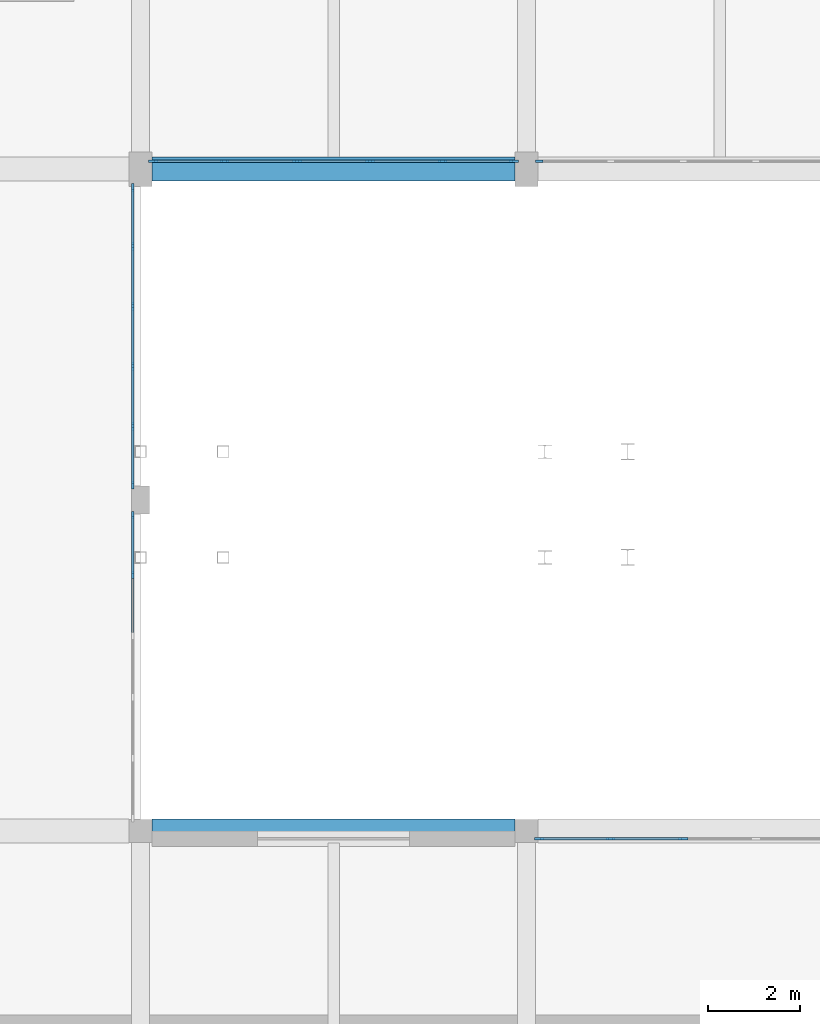
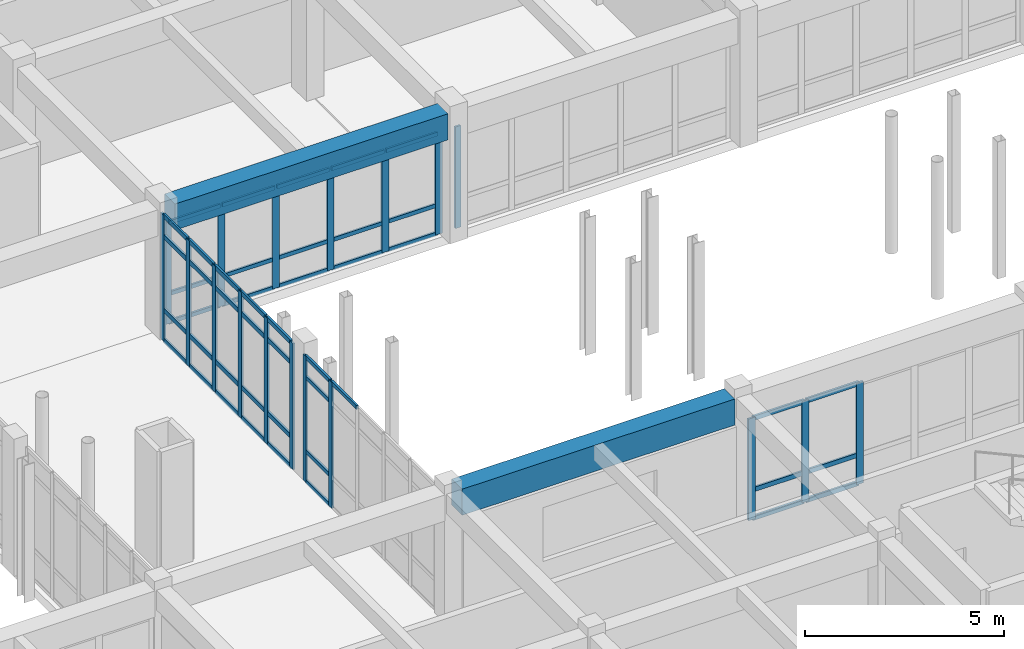
# One storey, part 66 of 147: 64 members, 2 beams, 5 elements without a shape of their own.
"""IFC4 building model written with IfcOpenShell, lengths in metres."""

from ifc_helpers import new_model, si_unit, direction, frame, origin, origin_2d, place, context, subcontext, project, spatial, rectangle, extrude, material, material_profile, profile_set, type_object, element, aggregate, save


model = new_model("IFC4")

# Units and contexts
model_context = context("Model", 3, precision=1e-05, world=origin(), true_north=direction((0.0, 1.0)))
body_context = subcontext(model_context, "Body", "Model", "MODEL_VIEW")
ifc_project = project(units=[si_unit("LENGTHUNIT", "METRE"), si_unit("AREAUNIT", "SQUARE_METRE"), si_unit("VOLUMEUNIT", "CUBIC_METRE"), si_unit("PLANEANGLEUNIT", "RADIAN"), si_unit("MASSUNIT", "GRAM", prefix="KILO")], contexts=[model_context])

# Site, building, storey
site_placement = place(None, origin())
site = spatial("IfcSite", under=ifc_project, at=site_placement, CompositionType="ELEMENT")
building_placement = place(site_placement, origin())
building = spatial("IfcBuilding", under=site, at=building_placement, Name="Malvenik Polytechnic", CompositionType="ELEMENT")
storey_placement = place(building_placement, frame((0.0, 0.0, 5.10009765625)))
storey = spatial("IfcBuildingStorey", under=building, at=storey_placement, Name="L01", CompositionType="ELEMENT", Elevation=5.10009765625)

# Curtain wall, member
ifc_material_1 = material(Name="Anodised aluminium 6060-T6", Category="aluminium")
curtain_wall_type_1 = type_object("IfcCurtainWallType", Name="ARC-CW-CW-02", PredefinedType="NOTDEFINED", material=ifc_material_1)
curtain_wall_1_placement = place(storey_placement, origin())
curtain_wall_1 = element("IfcCurtainWall", 1, at=curtain_wall_1_placement, inside=storey, type_object=curtain_wall_type_1, Name="Unitised Curtain Wall CW-02 L01 #80", PredefinedType="NOTDEFINED")
ifc_material_2 = material(Name="Anodised aluminium", Category="aluminium")
ifc_material_profile_1 = material_profile(ifc_material_2, rectangle(XDim=0.06005859375, YDim=0.159912109375, at=origin_2d()), Name="ALU MULLION 60x160")
ifc_profile_set_1 = profile_set([ifc_material_profile_1], Name="Anodised aluminium")
member_type_1 = type_object("IfcMemberType", Name="ARC-CWM-160", PredefinedType="MULLION", material=ifc_profile_set_1)
member_1_placement = place(storey_placement, frame((92.677978515625, 79.3701171875, 0.0), z_axis=(0.0, 0.0, 1.0), x_axis=(0.0, -1.0, 0.0)))
member_1 = element("IfcMember", 2, at=member_1_placement, type_object=member_type_1, Name="CW-02 mullion 6", PredefinedType="MULLION", context=body_context, shape_type="SweptSolid", body=[
    extrude(rectangle(XDim=0.06005859375, YDim=0.159912109375, at=origin_2d()), origin(), (0.0, 0.0, 1.0), 3.10986328125),
])
aggregate(curtain_wall_1, [member_1])

# Curtain wall, members
curtain_wall_type_2 = type_object("IfcCurtainWallType", Name="ARC-CW-CW-04", PredefinedType="NOTDEFINED", material=ifc_material_1)
curtain_wall_2_placement = place(storey_placement, origin())
curtain_wall_2 = element("IfcCurtainWall", 3, at=curtain_wall_2_placement, inside=storey, type_object=curtain_wall_type_2, Name="Unitised Curtain Wall CW-04 L01 #83", PredefinedType="NOTDEFINED")
member_2_placement = place(storey_placement, frame((83.830078125, 71.672119140625, 0.0), z_axis=(0.0, 0.0, 1.0), x_axis=(1.0, 0.0, 0.0)))
member_2 = element("IfcMember", 4, at=member_2_placement, type_object=member_type_1, Name="CW-04 mullion 1", PredefinedType="MULLION", context=body_context, shape_type="SweptSolid", body=[
    extrude(rectangle(XDim=0.06005859375, YDim=0.159912109375, at=origin_2d()), origin(), (0.0, 0.0, 1.0), 3.85986328125),
])
member_3_placement = place(storey_placement, frame((83.830078125, 70.37109375, 0.0), z_axis=(0.0, 0.0, 1.0), x_axis=(1.0, 0.0, 0.0)))
member_3 = element("IfcMember", 5, at=member_3_placement, type_object=member_type_1, Name="CW-04 mullion 2", PredefinedType="MULLION", context=body_context, shape_type="SweptSolid", body=[
    extrude(rectangle(XDim=0.06005859375, YDim=0.159912109375, at=origin_2d()), origin(), (0.0, 0.0, 1.0), 3.85986328125),
])

curtain_wall_3_placement = place(storey_placement, origin())
curtain_wall_3 = element("IfcCurtainWall", 6, at=curtain_wall_3_placement, inside=storey, type_object=curtain_wall_type_2, Name="Unitised Curtain Wall CW-04 L01 #82", PredefinedType="NOTDEFINED")
ifc_material_profile_2 = material_profile(ifc_material_2, rectangle(XDim=0.06005859375, YDim=0.179931640625, at=origin_2d()), Name="ALU MULLION 60x180")
ifc_profile_set_2 = profile_set([ifc_material_profile_2], Name="Anodised aluminium")
member_type_2 = type_object("IfcMemberType", Name="ARC-CWM-180", PredefinedType="MULLION", material=ifc_profile_set_2)
member_4_placement = place(storey_placement, frame((83.830078125, 78.797119140625, 0.0), z_axis=(0.0, 0.0, 1.0), x_axis=(1.0, 0.0, 0.0)))
member_4 = element("IfcMember", 7, at=member_4_placement, type_object=member_type_2, Name="CW-04 mullion 1", PredefinedType="MULLION", context=body_context, shape_type="SweptSolid", body=[
    extrude(rectangle(XDim=0.06005859375, YDim=0.179931640625, at=origin_2d()), origin(), (0.0, 0.0, 1.0), 3.85986328125),
])
member_5_placement = place(storey_placement, frame((83.830078125, 77.521240234375, 0.0), z_axis=(0.0, 0.0, 1.0), x_axis=(1.0, 0.0, 0.0)))
member_5 = element("IfcMember", 8, at=member_5_placement, type_object=member_type_2, Name="CW-04 mullion 2", PredefinedType="MULLION", context=body_context, shape_type="SweptSolid", body=[
    extrude(rectangle(XDim=0.06005859375, YDim=0.179931640625, at=origin_2d()), origin(), (0.0, 0.0, 1.0), 3.85986328125),
])
member_6_placement = place(storey_placement, frame((83.830078125, 76.21533203125, 0.0), z_axis=(0.0, 0.0, 1.0), x_axis=(1.0, 0.0, 0.0)))
member_6 = element("IfcMember", 9, at=member_6_placement, type_object=member_type_2, Name="CW-04 mullion 3", PredefinedType="MULLION", context=body_context, shape_type="SweptSolid", body=[
    extrude(rectangle(XDim=0.06005859375, YDim=0.179931640625, at=origin_2d()), origin(), (0.0, 0.0, 1.0), 3.85986328125),
])
member_7_placement = place(storey_placement, frame((83.830078125, 74.90966796875, 0.0), z_axis=(0.0, 0.0, 1.0), x_axis=(1.0, 0.0, 0.0)))
member_7 = element("IfcMember", 10, at=member_7_placement, type_object=member_type_2, Name="CW-04 mullion 4", PredefinedType="MULLION", context=body_context, shape_type="SweptSolid", body=[
    extrude(rectangle(XDim=0.06005859375, YDim=0.179931640625, at=origin_2d()), origin(), (0.0, 0.0, 1.0), 3.85986328125),
])
member_8_placement = place(storey_placement, frame((83.830078125, 73.603759765625, 0.0), z_axis=(0.0, 0.0, 1.0), x_axis=(1.0, 0.0, 0.0)))
member_8 = element("IfcMember", 11, at=member_8_placement, type_object=member_type_2, Name="CW-04 mullion 5", PredefinedType="MULLION", context=body_context, shape_type="SweptSolid", body=[
    extrude(rectangle(XDim=0.06005859375, YDim=0.179931640625, at=origin_2d()), origin(), (0.0, 0.0, 1.0), 3.85986328125),
])
member_9_placement = place(storey_placement, frame((83.830078125, 72.327880859375, 0.0), z_axis=(0.0, 0.0, 1.0), x_axis=(1.0, 0.0, 0.0)))
member_9 = element("IfcMember", 12, at=member_9_placement, type_object=member_type_2, Name="CW-04 mullion 6", PredefinedType="MULLION", context=body_context, shape_type="SweptSolid", body=[
    extrude(rectangle(XDim=0.06005859375, YDim=0.179931640625, at=origin_2d()), origin(), (0.0, 0.0, 1.0), 3.85986328125),
])

curtain_wall_4_placement = place(storey_placement, origin())
curtain_wall_4 = element("IfcCurtainWall", 13, at=curtain_wall_4_placement, inside=storey, type_object=curtain_wall_type_1, Name="Unitised Curtain Wall CW-02 L01 #81", PredefinedType="NOTDEFINED")
ifc_material_profile_3 = material_profile(ifc_material_2, rectangle(XDim=0.06005859375, YDim=0.199951171875, at=origin_2d()), Name="ALU MULLION 60x200")
ifc_profile_set_3 = profile_set([ifc_material_profile_3], Name="Anodised aluminium")
member_type_3 = type_object("IfcMemberType", Name="ARC-CWM-200", PredefinedType="MULLION", material=ifc_profile_set_3)
member_10_placement = place(storey_placement, frame((92.1220703125, 79.3701171875, 0.0), z_axis=(0.0, 0.0, 1.0), x_axis=(0.0, -1.0, 0.0)))
member_10 = element("IfcMember", 14, at=member_10_placement, type_object=member_type_3, Name="CW-02 mullion 1", PredefinedType="MULLION", context=body_context, shape_type="SweptSolid", body=[
    extrude(rectangle(XDim=0.06005859375, YDim=0.199951171875, at=origin_2d()), origin(), (0.0, 0.0, 1.0), 3.10986328125),
])
member_11_placement = place(storey_placement, frame((90.5712890625, 79.3701171875, 0.0), z_axis=(0.0, 0.0, 1.0), x_axis=(0.0, -1.0, 0.0)))
member_11 = element("IfcMember", 15, at=member_11_placement, type_object=member_type_3, Name="CW-02 mullion 2", PredefinedType="MULLION", context=body_context, shape_type="SweptSolid", body=[
    extrude(rectangle(XDim=0.06005859375, YDim=0.199951171875, at=origin_2d()), origin(), (0.0, 0.0, 1.0), 3.10986328125),
])
member_12_placement = place(storey_placement, frame((88.990478515625, 79.3701171875, 0.0), z_axis=(0.0, 0.0, 1.0), x_axis=(0.0, -1.0, 0.0)))
member_12 = element("IfcMember", 16, at=member_12_placement, type_object=member_type_3, Name="CW-02 mullion 3", PredefinedType="MULLION", context=body_context, shape_type="SweptSolid", body=[
    extrude(rectangle(XDim=0.06005859375, YDim=0.199951171875, at=origin_2d()), origin(), (0.0, 0.0, 1.0), 3.10986328125),
])
member_13_placement = place(storey_placement, frame((87.40966796875, 79.3701171875, 0.0), z_axis=(0.0, 0.0, 1.0), x_axis=(0.0, -1.0, 0.0)))
member_13 = element("IfcMember", 17, at=member_13_placement, type_object=member_type_3, Name="CW-02 mullion 4", PredefinedType="MULLION", context=body_context, shape_type="SweptSolid", body=[
    extrude(rectangle(XDim=0.06005859375, YDim=0.199951171875, at=origin_2d()), origin(), (0.0, 0.0, 1.0), 3.10986328125),
])
member_14_placement = place(storey_placement, frame((85.828857421875, 79.3701171875, 0.0), z_axis=(0.0, 0.0, 1.0), x_axis=(0.0, -1.0, 0.0)))
member_14 = element("IfcMember", 18, at=member_14_placement, type_object=member_type_3, Name="CW-02 mullion 5", PredefinedType="MULLION", context=body_context, shape_type="SweptSolid", body=[
    extrude(rectangle(XDim=0.06005859375, YDim=0.199951171875, at=origin_2d()), origin(), (0.0, 0.0, 1.0), 3.10986328125),
])
member_15_placement = place(storey_placement, frame((84.278076171875, 79.3701171875, 0.0), z_axis=(0.0, 0.0, 1.0), x_axis=(0.0, -1.0, 0.0)))
member_15 = element("IfcMember", 19, at=member_15_placement, type_object=member_type_3, Name="CW-02 mullion 6", PredefinedType="MULLION", context=body_context, shape_type="SweptSolid", body=[
    extrude(rectangle(XDim=0.06005859375, YDim=0.199951171875, at=origin_2d()), origin(), (0.0, 0.0, 1.0), 3.10986328125),
])

curtain_wall_5_placement = place(storey_placement, origin())
curtain_wall_5 = element("IfcCurtainWall", 20, at=curtain_wall_5_placement, inside=storey, type_object=curtain_wall_type_1, Name="Unitised Curtain Wall CW-02 L01 #84", PredefinedType="NOTDEFINED")
member_16_placement = place(storey_placement, frame((92.677978515625, 64.6298828125, 0.0), z_axis=(0.0, 0.0, 1.0), x_axis=(0.0, 1.0, 0.0)))
member_16 = element("IfcMember", 21, at=member_16_placement, type_object=member_type_3, Name="CW-02 mullion 1", PredefinedType="MULLION", context=body_context, shape_type="SweptSolid", body=[
    extrude(rectangle(XDim=0.06005859375, YDim=0.199951171875, at=origin_2d()), origin(), (0.0, 0.0, 1.0), 3.10986328125),
])
member_17_placement = place(storey_placement, frame((94.228759765625, 64.6298828125, 0.0), z_axis=(0.0, 0.0, 1.0), x_axis=(0.0, 1.0, 0.0)))
member_17 = element("IfcMember", 22, at=member_17_placement, type_object=member_type_3, Name="CW-02 mullion 2", PredefinedType="MULLION", context=body_context, shape_type="SweptSolid", body=[
    extrude(rectangle(XDim=0.06005859375, YDim=0.199951171875, at=origin_2d()), origin(), (0.0, 0.0, 1.0), 3.10986328125),
])
member_18_placement = place(storey_placement, frame((95.8095703125, 64.6298828125, 0.0), z_axis=(0.0, 0.0, 1.0), x_axis=(0.0, 1.0, 0.0)))
member_18 = element("IfcMember", 23, at=member_18_placement, type_object=member_type_3, Name="CW-02 mullion 3", PredefinedType="MULLION", context=body_context, shape_type="SweptSolid", body=[
    extrude(rectangle(XDim=0.06005859375, YDim=0.199951171875, at=origin_2d()), origin(), (0.0, 0.0, 1.0), 3.10986328125),
])

# Member
ifc_material_profile_4 = material_profile(ifc_material_2, rectangle(XDim=0.06005859375, YDim=0.1201171875, at=origin_2d()), Name="ALU TRANSOM 60x120")
ifc_profile_set_4 = profile_set([ifc_material_profile_4], Name="Anodised aluminium")
member_type_4 = type_object("IfcMemberType", Name="ARC-CWT-120", PredefinedType="USERDEFINED", material=ifc_profile_set_4)
member_19_placement = place(storey_placement, frame((92.092041015625, 79.3701171875, 0.02978515625), z_axis=(-1.0, 0.0, 0.0), x_axis=(0.0, -1.0, 0.0)))
member_19 = element("IfcMember", 24, at=member_19_placement, type_object=member_type_4, Name="CW-02 transom 1.1", ObjectType="TRANSOM", PredefinedType="USERDEFINED", context=body_context, shape_type="SweptSolid", body=[
    extrude(rectangle(XDim=0.06005859375, YDim=0.1201171875, at=origin_2d()), origin(), (0.0, 0.0, 1.0), 1.49072265625),
])

member_20_placement = place(storey_placement, frame((92.092041015625, 79.3701171875, 0.89990234375), z_axis=(-1.0, 0.0, 0.0), x_axis=(0.0, -1.0, 0.0)))
member_20 = element("IfcMember", 25, at=member_20_placement, type_object=member_type_4, Name="CW-02 transom 1.2", ObjectType="TRANSOM", PredefinedType="USERDEFINED", context=body_context, shape_type="SweptSolid", body=[
    extrude(rectangle(XDim=0.06005859375, YDim=0.1201171875, at=origin_2d()), origin(), (0.0, 0.0, 1.0), 1.49072265625),
])

member_21_placement = place(storey_placement, frame((92.092041015625, 79.3701171875, 3.079833984375), z_axis=(-1.0, 0.0, 0.0), x_axis=(0.0, -1.0, 0.0)))
member_21 = element("IfcMember", 26, at=member_21_placement, type_object=member_type_4, Name="CW-02 transom 1.3", ObjectType="TRANSOM", PredefinedType="USERDEFINED", context=body_context, shape_type="SweptSolid", body=[
    extrude(rectangle(XDim=0.06005859375, YDim=0.1201171875, at=origin_2d()), origin(), (0.0, 0.0, 1.0), 1.49072265625),
])

member_22_placement = place(storey_placement, frame((90.541259765625, 79.3701171875, 0.02978515625), z_axis=(-1.0, 0.0, 0.0), x_axis=(0.0, -1.0, 0.0)))
member_22 = element("IfcMember", 27, at=member_22_placement, type_object=member_type_4, Name="CW-02 transom 2.1", ObjectType="TRANSOM", PredefinedType="USERDEFINED", context=body_context, shape_type="SweptSolid", body=[
    extrude(rectangle(XDim=0.06005859375, YDim=0.1201171875, at=origin_2d()), origin(), (0.0, 0.0, 1.0), 1.520751953125),
])

member_23_placement = place(storey_placement, frame((90.541259765625, 79.3701171875, 0.89990234375), z_axis=(-1.0, 0.0, 0.0), x_axis=(0.0, -1.0, 0.0)))
member_23 = element("IfcMember", 28, at=member_23_placement, type_object=member_type_4, Name="CW-02 transom 2.2", ObjectType="TRANSOM", PredefinedType="USERDEFINED", context=body_context, shape_type="SweptSolid", body=[
    extrude(rectangle(XDim=0.06005859375, YDim=0.1201171875, at=origin_2d()), origin(), (0.0, 0.0, 1.0), 1.520751953125),
])

member_24_placement = place(storey_placement, frame((90.541259765625, 79.3701171875, 3.079833984375), z_axis=(-1.0, 0.0, 0.0), x_axis=(0.0, -1.0, 0.0)))
member_24 = element("IfcMember", 29, at=member_24_placement, type_object=member_type_4, Name="CW-02 transom 2.3", ObjectType="TRANSOM", PredefinedType="USERDEFINED", context=body_context, shape_type="SweptSolid", body=[
    extrude(rectangle(XDim=0.06005859375, YDim=0.1201171875, at=origin_2d()), origin(), (0.0, 0.0, 1.0), 1.520751953125),
])

member_25_placement = place(storey_placement, frame((88.96044921875, 79.3701171875, 0.02978515625), z_axis=(-1.0, 0.0, 0.0), x_axis=(0.0, -1.0, 0.0)))
member_25 = element("IfcMember", 30, at=member_25_placement, type_object=member_type_4, Name="CW-02 transom 3.1", ObjectType="TRANSOM", PredefinedType="USERDEFINED", context=body_context, shape_type="SweptSolid", body=[
    extrude(rectangle(XDim=0.06005859375, YDim=0.1201171875, at=origin_2d()), origin(), (0.0, 0.0, 1.0), 1.520751953125),
])

member_26_placement = place(storey_placement, frame((88.96044921875, 79.3701171875, 0.89990234375), z_axis=(-1.0, 0.0, 0.0), x_axis=(0.0, -1.0, 0.0)))
member_26 = element("IfcMember", 31, at=member_26_placement, type_object=member_type_4, Name="CW-02 transom 3.2", ObjectType="TRANSOM", PredefinedType="USERDEFINED", context=body_context, shape_type="SweptSolid", body=[
    extrude(rectangle(XDim=0.06005859375, YDim=0.1201171875, at=origin_2d()), origin(), (0.0, 0.0, 1.0), 1.520751953125),
])

member_27_placement = place(storey_placement, frame((88.96044921875, 79.3701171875, 3.079833984375), z_axis=(-1.0, 0.0, 0.0), x_axis=(0.0, -1.0, 0.0)))
member_27 = element("IfcMember", 32, at=member_27_placement, type_object=member_type_4, Name="CW-02 transom 3.3", ObjectType="TRANSOM", PredefinedType="USERDEFINED", context=body_context, shape_type="SweptSolid", body=[
    extrude(rectangle(XDim=0.06005859375, YDim=0.1201171875, at=origin_2d()), origin(), (0.0, 0.0, 1.0), 1.520751953125),
])

member_28_placement = place(storey_placement, frame((87.379638671875, 79.3701171875, 0.02978515625), z_axis=(-1.0, 0.0, 0.0), x_axis=(0.0, -1.0, 0.0)))
member_28 = element("IfcMember", 33, at=member_28_placement, type_object=member_type_4, Name="CW-02 transom 4.1", ObjectType="TRANSOM", PredefinedType="USERDEFINED", context=body_context, shape_type="SweptSolid", body=[
    extrude(rectangle(XDim=0.06005859375, YDim=0.1201171875, at=origin_2d()), origin(), (0.0, 0.0, 1.0), 1.520751953125),
])

member_29_placement = place(storey_placement, frame((87.379638671875, 79.3701171875, 0.89990234375), z_axis=(-1.0, 0.0, 0.0), x_axis=(0.0, -1.0, 0.0)))
member_29 = element("IfcMember", 34, at=member_29_placement, type_object=member_type_4, Name="CW-02 transom 4.2", ObjectType="TRANSOM", PredefinedType="USERDEFINED", context=body_context, shape_type="SweptSolid", body=[
    extrude(rectangle(XDim=0.06005859375, YDim=0.1201171875, at=origin_2d()), origin(), (0.0, 0.0, 1.0), 1.520751953125),
])

member_30_placement = place(storey_placement, frame((87.379638671875, 79.3701171875, 3.079833984375), z_axis=(-1.0, 0.0, 0.0), x_axis=(0.0, -1.0, 0.0)))
member_30 = element("IfcMember", 35, at=member_30_placement, type_object=member_type_4, Name="CW-02 transom 4.3", ObjectType="TRANSOM", PredefinedType="USERDEFINED", context=body_context, shape_type="SweptSolid", body=[
    extrude(rectangle(XDim=0.06005859375, YDim=0.1201171875, at=origin_2d()), origin(), (0.0, 0.0, 1.0), 1.520751953125),
])

member_31_placement = place(storey_placement, frame((85.798828125, 79.3701171875, 0.02978515625), z_axis=(-1.0, 0.0, 0.0), x_axis=(0.0, -1.0, 0.0)))
member_31 = element("IfcMember", 36, at=member_31_placement, type_object=member_type_4, Name="CW-02 transom 5.1", ObjectType="TRANSOM", PredefinedType="USERDEFINED", context=body_context, shape_type="SweptSolid", body=[
    extrude(rectangle(XDim=0.06005859375, YDim=0.1201171875, at=origin_2d()), origin(), (0.0, 0.0, 1.0), 1.49072265625),
])

member_32_placement = place(storey_placement, frame((85.798828125, 79.3701171875, 0.89990234375), z_axis=(-1.0, 0.0, 0.0), x_axis=(0.0, -1.0, 0.0)))
member_32 = element("IfcMember", 37, at=member_32_placement, type_object=member_type_4, Name="CW-02 transom 5.2", ObjectType="TRANSOM", PredefinedType="USERDEFINED", context=body_context, shape_type="SweptSolid", body=[
    extrude(rectangle(XDim=0.06005859375, YDim=0.1201171875, at=origin_2d()), origin(), (0.0, 0.0, 1.0), 1.49072265625),
])

member_33_placement = place(storey_placement, frame((85.798828125, 79.3701171875, 3.079833984375), z_axis=(-1.0, 0.0, 0.0), x_axis=(0.0, -1.0, 0.0)))
member_33 = element("IfcMember", 38, at=member_33_placement, type_object=member_type_4, Name="CW-02 transom 5.3", ObjectType="TRANSOM", PredefinedType="USERDEFINED", context=body_context, shape_type="SweptSolid", body=[
    extrude(rectangle(XDim=0.06005859375, YDim=0.1201171875, at=origin_2d()), origin(), (0.0, 0.0, 1.0), 1.49072265625),
])

aggregate(curtain_wall_4, [member_10, member_11, member_12, member_13, member_14, member_15, member_19, member_20, member_21, member_22, member_23, member_24, member_25, member_26, member_27, member_28, member_29, member_30, member_31, member_32, member_33])

member_34_placement = place(storey_placement, frame((83.830078125, 71.64208984375, 0.02978515625), z_axis=(0.0, -1.0, 0.0), x_axis=(1.0, 0.0, 0.0)))
member_34 = element("IfcMember", 39, at=member_34_placement, type_object=member_type_4, Name="CW-04 transom 1.1", ObjectType="TRANSOM", PredefinedType="USERDEFINED", context=body_context, shape_type="SweptSolid", body=[
    extrude(rectangle(XDim=0.06005859375, YDim=0.1201171875, at=origin_2d()), origin(), (0.0, 0.0, 1.0), 1.240966796875),
])

member_35_placement = place(storey_placement, frame((83.830078125, 71.64208984375, 0.949951171875), z_axis=(0.0, -1.0, 0.0), x_axis=(1.0, 0.0, 0.0)))
member_35 = element("IfcMember", 40, at=member_35_placement, type_object=member_type_4, Name="CW-04 transom 1.2", ObjectType="TRANSOM", PredefinedType="USERDEFINED", context=body_context, shape_type="SweptSolid", body=[
    extrude(rectangle(XDim=0.06005859375, YDim=0.1201171875, at=origin_2d()), origin(), (0.0, 0.0, 1.0), 1.240966796875),
])

member_36_placement = place(storey_placement, frame((83.830078125, 71.64208984375, 3.2099609375), z_axis=(0.0, -1.0, 0.0), x_axis=(1.0, 0.0, 0.0)))
member_36 = element("IfcMember", 41, at=member_36_placement, type_object=member_type_4, Name="CW-04 transom 1.3", ObjectType="TRANSOM", PredefinedType="USERDEFINED", context=body_context, shape_type="SweptSolid", body=[
    extrude(rectangle(XDim=0.06005859375, YDim=0.1201171875, at=origin_2d()), origin(), (0.0, 0.0, 1.0), 1.240966796875),
])

member_37_placement = place(storey_placement, frame((83.830078125, 71.64208984375, 3.829833984375), z_axis=(0.0, -1.0, 0.0), x_axis=(1.0, 0.0, 0.0)))
member_37 = element("IfcMember", 42, at=member_37_placement, type_object=member_type_4, Name="CW-04 transom 1.4", ObjectType="TRANSOM", PredefinedType="USERDEFINED", context=body_context, shape_type="SweptSolid", body=[
    extrude(rectangle(XDim=0.06005859375, YDim=0.1201171875, at=origin_2d()), origin(), (0.0, 0.0, 1.0), 1.240966796875),
])

member_38_placement = place(storey_placement, frame((83.830078125, 70.34130859375, 3.829833984375), z_axis=(0.0, -1.0, 0.0), x_axis=(1.0, 0.0, 0.0)))
member_38 = element("IfcMember", 43, at=member_38_placement, type_object=member_type_4, Name="CW-04 transom 2.4", ObjectType="TRANSOM", PredefinedType="USERDEFINED", context=body_context, shape_type="SweptSolid", body=[
    extrude(rectangle(XDim=0.06005859375, YDim=0.1201171875, at=origin_2d()), origin(), (0.0, 0.0, 1.0), 1.27099609375),
])

aggregate(curtain_wall_2, [member_2, member_3, member_34, member_35, member_36, member_37, member_38])

ifc_material_profile_5 = material_profile(ifc_material_2, rectangle(XDim=0.06005859375, YDim=0.139892578125, at=origin_2d()), Name="ALU TRANSOM 60x140")
ifc_profile_set_5 = profile_set([ifc_material_profile_5], Name="Anodised aluminium")
member_type_5 = type_object("IfcMemberType", Name="ARC-CWT-140", PredefinedType="USERDEFINED", material=ifc_profile_set_5)
member_39_placement = place(storey_placement, frame((83.830078125, 78.76708984375, 0.02978515625), z_axis=(0.0, -1.0, 0.0), x_axis=(1.0, 0.0, 0.0)))
member_39 = element("IfcMember", 44, at=member_39_placement, type_object=member_type_5, Name="CW-04 transom 1.1", ObjectType="TRANSOM", PredefinedType="USERDEFINED", context=body_context, shape_type="SweptSolid", body=[
    extrude(rectangle(XDim=0.06005859375, YDim=0.139892578125, at=origin_2d()), origin(), (0.0, 0.0, 1.0), 1.2158203125),
])

member_40_placement = place(storey_placement, frame((83.830078125, 78.76708984375, 0.949951171875), z_axis=(0.0, -1.0, 0.0), x_axis=(1.0, 0.0, 0.0)))
member_40 = element("IfcMember", 45, at=member_40_placement, type_object=member_type_5, Name="CW-04 transom 1.2", ObjectType="TRANSOM", PredefinedType="USERDEFINED", context=body_context, shape_type="SweptSolid", body=[
    extrude(rectangle(XDim=0.06005859375, YDim=0.139892578125, at=origin_2d()), origin(), (0.0, 0.0, 1.0), 1.2158203125),
])

member_41_placement = place(storey_placement, frame((83.830078125, 78.76708984375, 3.2099609375), z_axis=(0.0, -1.0, 0.0), x_axis=(1.0, 0.0, 0.0)))
member_41 = element("IfcMember", 46, at=member_41_placement, type_object=member_type_5, Name="CW-04 transom 1.3", ObjectType="TRANSOM", PredefinedType="USERDEFINED", context=body_context, shape_type="SweptSolid", body=[
    extrude(rectangle(XDim=0.06005859375, YDim=0.139892578125, at=origin_2d()), origin(), (0.0, 0.0, 1.0), 1.2158203125),
])

member_42_placement = place(storey_placement, frame((83.830078125, 78.76708984375, 3.829833984375), z_axis=(0.0, -1.0, 0.0), x_axis=(1.0, 0.0, 0.0)))
member_42 = element("IfcMember", 47, at=member_42_placement, type_object=member_type_5, Name="CW-04 transom 1.4", ObjectType="TRANSOM", PredefinedType="USERDEFINED", context=body_context, shape_type="SweptSolid", body=[
    extrude(rectangle(XDim=0.06005859375, YDim=0.139892578125, at=origin_2d()), origin(), (0.0, 0.0, 1.0), 1.2158203125),
])

member_43_placement = place(storey_placement, frame((83.830078125, 77.4912109375, 0.02978515625), z_axis=(0.0, -1.0, 0.0), x_axis=(1.0, 0.0, 0.0)))
member_43 = element("IfcMember", 48, at=member_43_placement, type_object=member_type_5, Name="CW-04 transom 2.1", ObjectType="TRANSOM", PredefinedType="USERDEFINED", context=body_context, shape_type="SweptSolid", body=[
    extrude(rectangle(XDim=0.06005859375, YDim=0.139892578125, at=origin_2d()), origin(), (0.0, 0.0, 1.0), 1.245849609375),
])

member_44_placement = place(storey_placement, frame((83.830078125, 77.4912109375, 0.949951171875), z_axis=(0.0, -1.0, 0.0), x_axis=(1.0, 0.0, 0.0)))
member_44 = element("IfcMember", 49, at=member_44_placement, type_object=member_type_5, Name="CW-04 transom 2.2", ObjectType="TRANSOM", PredefinedType="USERDEFINED", context=body_context, shape_type="SweptSolid", body=[
    extrude(rectangle(XDim=0.06005859375, YDim=0.139892578125, at=origin_2d()), origin(), (0.0, 0.0, 1.0), 1.245849609375),
])

member_45_placement = place(storey_placement, frame((83.830078125, 77.4912109375, 3.2099609375), z_axis=(0.0, -1.0, 0.0), x_axis=(1.0, 0.0, 0.0)))
member_45 = element("IfcMember", 50, at=member_45_placement, type_object=member_type_5, Name="CW-04 transom 2.3", ObjectType="TRANSOM", PredefinedType="USERDEFINED", context=body_context, shape_type="SweptSolid", body=[
    extrude(rectangle(XDim=0.06005859375, YDim=0.139892578125, at=origin_2d()), origin(), (0.0, 0.0, 1.0), 1.245849609375),
])

member_46_placement = place(storey_placement, frame((83.830078125, 77.4912109375, 3.829833984375), z_axis=(0.0, -1.0, 0.0), x_axis=(1.0, 0.0, 0.0)))
member_46 = element("IfcMember", 51, at=member_46_placement, type_object=member_type_5, Name="CW-04 transom 2.4", ObjectType="TRANSOM", PredefinedType="USERDEFINED", context=body_context, shape_type="SweptSolid", body=[
    extrude(rectangle(XDim=0.06005859375, YDim=0.139892578125, at=origin_2d()), origin(), (0.0, 0.0, 1.0), 1.245849609375),
])

member_47_placement = place(storey_placement, frame((83.830078125, 76.185302734375, 0.02978515625), z_axis=(0.0, -1.0, 0.0), x_axis=(1.0, 0.0, 0.0)))
member_47 = element("IfcMember", 52, at=member_47_placement, type_object=member_type_5, Name="CW-04 transom 3.1", ObjectType="TRANSOM", PredefinedType="USERDEFINED", context=body_context, shape_type="SweptSolid", body=[
    extrude(rectangle(XDim=0.06005859375, YDim=0.139892578125, at=origin_2d()), origin(), (0.0, 0.0, 1.0), 1.24560546875),
])

member_48_placement = place(storey_placement, frame((83.830078125, 76.185302734375, 0.949951171875), z_axis=(0.0, -1.0, 0.0), x_axis=(1.0, 0.0, 0.0)))
member_48 = element("IfcMember", 53, at=member_48_placement, type_object=member_type_5, Name="CW-04 transom 3.2", ObjectType="TRANSOM", PredefinedType="USERDEFINED", context=body_context, shape_type="SweptSolid", body=[
    extrude(rectangle(XDim=0.06005859375, YDim=0.139892578125, at=origin_2d()), origin(), (0.0, 0.0, 1.0), 1.24560546875),
])

member_49_placement = place(storey_placement, frame((83.830078125, 76.185302734375, 3.2099609375), z_axis=(0.0, -1.0, 0.0), x_axis=(1.0, 0.0, 0.0)))
member_49 = element("IfcMember", 54, at=member_49_placement, type_object=member_type_5, Name="CW-04 transom 3.3", ObjectType="TRANSOM", PredefinedType="USERDEFINED", context=body_context, shape_type="SweptSolid", body=[
    extrude(rectangle(XDim=0.06005859375, YDim=0.139892578125, at=origin_2d()), origin(), (0.0, 0.0, 1.0), 1.24560546875),
])

member_50_placement = place(storey_placement, frame((83.830078125, 76.185302734375, 3.829833984375), z_axis=(0.0, -1.0, 0.0), x_axis=(1.0, 0.0, 0.0)))
member_50 = element("IfcMember", 55, at=member_50_placement, type_object=member_type_5, Name="CW-04 transom 3.4", ObjectType="TRANSOM", PredefinedType="USERDEFINED", context=body_context, shape_type="SweptSolid", body=[
    extrude(rectangle(XDim=0.06005859375, YDim=0.139892578125, at=origin_2d()), origin(), (0.0, 0.0, 1.0), 1.24560546875),
])

member_51_placement = place(storey_placement, frame((83.830078125, 74.879638671875, 0.02978515625), z_axis=(0.0, -1.0, 0.0), x_axis=(1.0, 0.0, 0.0)))
member_51 = element("IfcMember", 56, at=member_51_placement, type_object=member_type_5, Name="CW-04 transom 4.1", ObjectType="TRANSOM", PredefinedType="USERDEFINED", context=body_context, shape_type="SweptSolid", body=[
    extrude(rectangle(XDim=0.06005859375, YDim=0.139892578125, at=origin_2d()), origin(), (0.0, 0.0, 1.0), 1.245849609375),
])

member_52_placement = place(storey_placement, frame((83.830078125, 74.879638671875, 0.949951171875), z_axis=(0.0, -1.0, 0.0), x_axis=(1.0, 0.0, 0.0)))
member_52 = element("IfcMember", 57, at=member_52_placement, type_object=member_type_5, Name="CW-04 transom 4.2", ObjectType="TRANSOM", PredefinedType="USERDEFINED", context=body_context, shape_type="SweptSolid", body=[
    extrude(rectangle(XDim=0.06005859375, YDim=0.139892578125, at=origin_2d()), origin(), (0.0, 0.0, 1.0), 1.245849609375),
])

member_53_placement = place(storey_placement, frame((83.830078125, 74.879638671875, 3.2099609375), z_axis=(0.0, -1.0, 0.0), x_axis=(1.0, 0.0, 0.0)))
member_53 = element("IfcMember", 58, at=member_53_placement, type_object=member_type_5, Name="CW-04 transom 4.3", ObjectType="TRANSOM", PredefinedType="USERDEFINED", context=body_context, shape_type="SweptSolid", body=[
    extrude(rectangle(XDim=0.06005859375, YDim=0.139892578125, at=origin_2d()), origin(), (0.0, 0.0, 1.0), 1.245849609375),
])

member_54_placement = place(storey_placement, frame((83.830078125, 74.879638671875, 3.829833984375), z_axis=(0.0, -1.0, 0.0), x_axis=(1.0, 0.0, 0.0)))
member_54 = element("IfcMember", 59, at=member_54_placement, type_object=member_type_5, Name="CW-04 transom 4.4", ObjectType="TRANSOM", PredefinedType="USERDEFINED", context=body_context, shape_type="SweptSolid", body=[
    extrude(rectangle(XDim=0.06005859375, YDim=0.139892578125, at=origin_2d()), origin(), (0.0, 0.0, 1.0), 1.245849609375),
])

member_55_placement = place(storey_placement, frame((83.830078125, 73.57373046875, 0.02978515625), z_axis=(0.0, -1.0, 0.0), x_axis=(1.0, 0.0, 0.0)))
member_55 = element("IfcMember", 60, at=member_55_placement, type_object=member_type_5, Name="CW-04 transom 5.1", ObjectType="TRANSOM", PredefinedType="USERDEFINED", context=body_context, shape_type="SweptSolid", body=[
    extrude(rectangle(XDim=0.06005859375, YDim=0.139892578125, at=origin_2d()), origin(), (0.0, 0.0, 1.0), 1.2158203125),
])

member_56_placement = place(storey_placement, frame((83.830078125, 73.57373046875, 0.949951171875), z_axis=(0.0, -1.0, 0.0), x_axis=(1.0, 0.0, 0.0)))
member_56 = element("IfcMember", 61, at=member_56_placement, type_object=member_type_5, Name="CW-04 transom 5.2", ObjectType="TRANSOM", PredefinedType="USERDEFINED", context=body_context, shape_type="SweptSolid", body=[
    extrude(rectangle(XDim=0.06005859375, YDim=0.139892578125, at=origin_2d()), origin(), (0.0, 0.0, 1.0), 1.2158203125),
])

member_57_placement = place(storey_placement, frame((83.830078125, 73.57373046875, 3.2099609375), z_axis=(0.0, -1.0, 0.0), x_axis=(1.0, 0.0, 0.0)))
member_57 = element("IfcMember", 62, at=member_57_placement, type_object=member_type_5, Name="CW-04 transom 5.3", ObjectType="TRANSOM", PredefinedType="USERDEFINED", context=body_context, shape_type="SweptSolid", body=[
    extrude(rectangle(XDim=0.06005859375, YDim=0.139892578125, at=origin_2d()), origin(), (0.0, 0.0, 1.0), 1.2158203125),
])

member_58_placement = place(storey_placement, frame((83.830078125, 73.57373046875, 3.829833984375), z_axis=(0.0, -1.0, 0.0), x_axis=(1.0, 0.0, 0.0)))
member_58 = element("IfcMember", 63, at=member_58_placement, type_object=member_type_5, Name="CW-04 transom 5.4", ObjectType="TRANSOM", PredefinedType="USERDEFINED", context=body_context, shape_type="SweptSolid", body=[
    extrude(rectangle(XDim=0.06005859375, YDim=0.139892578125, at=origin_2d()), origin(), (0.0, 0.0, 1.0), 1.2158203125),
])

aggregate(curtain_wall_3, [member_4, member_5, member_6, member_7, member_8, member_9, member_39, member_40, member_41, member_42, member_43, member_44, member_45, member_46, member_47, member_48, member_49, member_50, member_51, member_52, member_53, member_54, member_55, member_56, member_57, member_58])

member_59_placement = place(storey_placement, frame((92.7080078125, 64.6298828125, 0.02978515625), z_axis=(1.0, 0.0, 0.0), x_axis=(0.0, 1.0, 0.0)))
member_59 = element("IfcMember", 64, at=member_59_placement, type_object=member_type_5, Name="CW-02 transom 1.1", ObjectType="TRANSOM", PredefinedType="USERDEFINED", context=body_context, shape_type="SweptSolid", body=[
    extrude(rectangle(XDim=0.06005859375, YDim=0.139892578125, at=origin_2d()), origin(), (0.0, 0.0, 1.0), 1.49072265625),
])

member_60_placement = place(storey_placement, frame((92.7080078125, 64.6298828125, 0.89990234375), z_axis=(1.0, 0.0, 0.0), x_axis=(0.0, 1.0, 0.0)))
member_60 = element("IfcMember", 65, at=member_60_placement, type_object=member_type_5, Name="CW-02 transom 1.2", ObjectType="TRANSOM", PredefinedType="USERDEFINED", context=body_context, shape_type="SweptSolid", body=[
    extrude(rectangle(XDim=0.06005859375, YDim=0.139892578125, at=origin_2d()), origin(), (0.0, 0.0, 1.0), 1.49072265625),
])

member_61_placement = place(storey_placement, frame((92.7080078125, 64.6298828125, 3.079833984375), z_axis=(1.0, 0.0, 0.0), x_axis=(0.0, 1.0, 0.0)))
member_61 = element("IfcMember", 66, at=member_61_placement, type_object=member_type_5, Name="CW-02 transom 1.3", ObjectType="TRANSOM", PredefinedType="USERDEFINED", context=body_context, shape_type="SweptSolid", body=[
    extrude(rectangle(XDim=0.06005859375, YDim=0.139892578125, at=origin_2d()), origin(), (0.0, 0.0, 1.0), 1.49072265625),
])

member_62_placement = place(storey_placement, frame((94.2587890625, 64.6298828125, 0.02978515625), z_axis=(1.0, 0.0, 0.0), x_axis=(0.0, 1.0, 0.0)))
member_62 = element("IfcMember", 67, at=member_62_placement, type_object=member_type_5, Name="CW-02 transom 2.1", ObjectType="TRANSOM", PredefinedType="USERDEFINED", context=body_context, shape_type="SweptSolid", body=[
    extrude(rectangle(XDim=0.06005859375, YDim=0.139892578125, at=origin_2d()), origin(), (0.0, 0.0, 1.0), 1.520751953125),
])

member_63_placement = place(storey_placement, frame((94.2587890625, 64.6298828125, 0.89990234375), z_axis=(1.0, 0.0, 0.0), x_axis=(0.0, 1.0, 0.0)))
member_63 = element("IfcMember", 68, at=member_63_placement, type_object=member_type_5, Name="CW-02 transom 2.2", ObjectType="TRANSOM", PredefinedType="USERDEFINED", context=body_context, shape_type="SweptSolid", body=[
    extrude(rectangle(XDim=0.06005859375, YDim=0.139892578125, at=origin_2d()), origin(), (0.0, 0.0, 1.0), 1.520751953125),
])

member_64_placement = place(storey_placement, frame((94.2587890625, 64.6298828125, 3.079833984375), z_axis=(1.0, 0.0, 0.0), x_axis=(0.0, 1.0, 0.0)))
member_64 = element("IfcMember", 69, at=member_64_placement, type_object=member_type_5, Name="CW-02 transom 2.3", ObjectType="TRANSOM", PredefinedType="USERDEFINED", context=body_context, shape_type="SweptSolid", body=[
    extrude(rectangle(XDim=0.06005859375, YDim=0.139892578125, at=origin_2d()), origin(), (0.0, 0.0, 1.0), 1.520751953125),
])

aggregate(curtain_wall_5, [member_16, member_17, member_18, member_59, member_60, member_61, member_62, member_63, member_64])

# Beams
ifc_material_3 = material(Name="Precast concrete C40/50", Category="concrete")
ifc_material_profile_6 = material_profile(ifc_material_3, rectangle(XDim=0.52001953125, YDim=0.800048828125, at=origin_2d()), Name="PC SPN 520x800")
ifc_profile_set_6 = profile_set([ifc_material_profile_6], Name="Precast concrete C40/50")
beam_type = type_object("IfcBeamType", Name="STR-BM-SP-01", PredefinedType="SPANDREL", material=ifc_profile_set_6)
for number, where, z_axis, x_axis, name in (
    (70, (84.248046875, 64.800048828125, 3.52001953125), (1.0, 0.0, 0.0), (0.0, 1.0, 0.0), "Primary Beam SP-01 L01 #1035"),
    (71, (84.248046875, 79.199951171875, 3.52001953125), (1.0, 0.0, 0.0), (0.0, 1.0, 0.0), "Primary Beam SP-01 L01 #1051"),
):
    element("IfcBeam", number, at=place(storey_placement, frame(where, z_axis=z_axis, x_axis=x_axis)), inside=storey, type_object=beam_type, Name=name, PredefinedType="SPANDREL", context=body_context, shape_type="SweptSolid", body=[
        extrude(rectangle(XDim=0.52001953125, YDim=0.800048828125, at=origin_2d()), origin(), (0.0, 0.0, 1.0), 7.904052734375),
    ])

save(model, "model.ifc")
